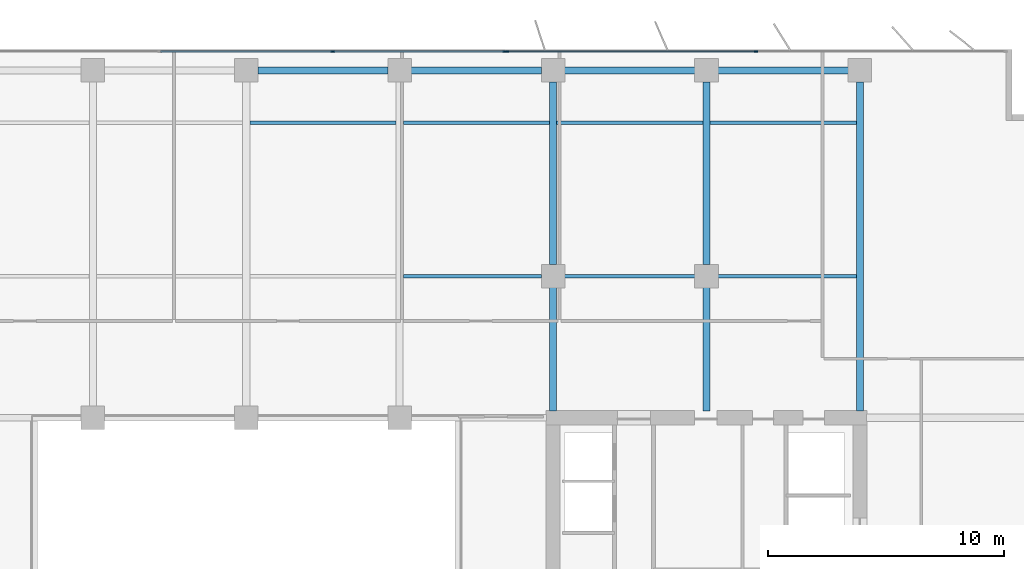
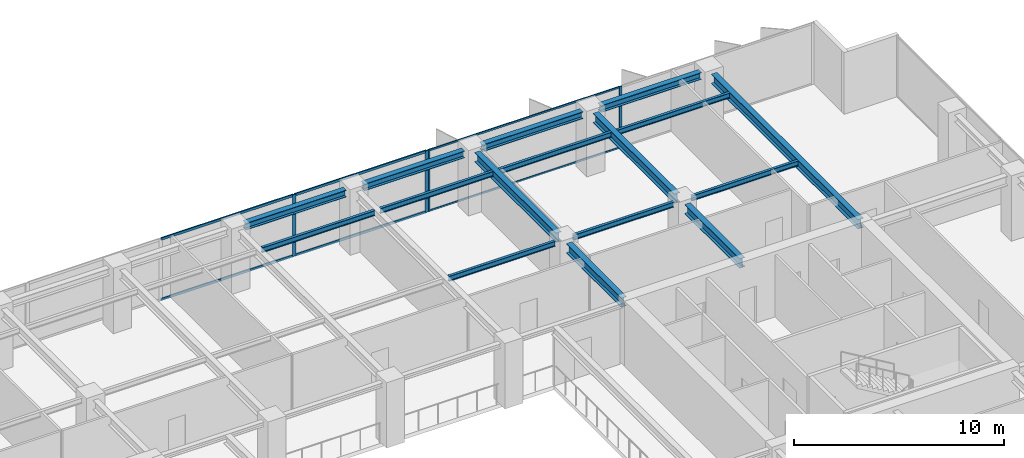
# One storey, part 10 of 22: 16 beams, 10 members, 2 elements without a shape of their own.
"""IFC4 building model written with IfcOpenShell, lengths in metres."""

from ifc_helpers import new_model, si_unit, direction, frame, origin, origin_2d, place, context, subcontext, project, spatial, rectangle, i_section, extrude, material, layer, layer_set, material_profile, profile_set, type_object, element, aggregate, save


model = new_model("IFC4")

# Units and contexts
model_context = context("Model", 3, precision=1e-05, world=origin(), true_north=direction((0.0, 1.0)))
body_context = subcontext(model_context, "Body", "Model", "MODEL_VIEW")
ifc_project = project(units=[si_unit("LENGTHUNIT", "METRE"), si_unit("AREAUNIT", "SQUARE_METRE"), si_unit("VOLUMEUNIT", "CUBIC_METRE"), si_unit("PLANEANGLEUNIT", "RADIAN"), si_unit("MASSUNIT", "GRAM", prefix="KILO")], contexts=[model_context])

# Site, building, storey
site_placement = place(None, origin())
site = spatial("IfcSite", under=ifc_project, at=site_placement, CompositionType="ELEMENT")
building_placement = place(site_placement, origin())
building = spatial("IfcBuilding", under=site, at=building_placement, Name="Putna Gate Headquarters", CompositionType="ELEMENT")
storey_placement = place(building_placement, frame((0.0, 0.0, 159.39990234375)))
storey = spatial("IfcBuildingStorey", under=building, at=storey_placement, Name="L39", CompositionType="ELEMENT", Elevation=159.39990234375)

# Beams
ifc_material_1 = material(Name="Steel S355J2", Category="steel")
ifc_material_profile_1 = material_profile(ifc_material_1, i_section(OverallWidth=0.300048828125, OverallDepth=0.550048828125, WebThickness=0.014892578125, FlangeThickness=0.029052734375, at=origin_2d()), Name="Steel S355J2")
ifc_profile_set_1 = profile_set([ifc_material_profile_1], Name="Steel S355J2")
beam_type_1 = type_object("IfcBeamType", Name="BM-GIRD-Z3-HEB550", PredefinedType="USERDEFINED", material=ifc_profile_set_1)
beam_1_placement = place(storey_placement, frame((52.0, 33.284912109375, 3.297119140625), z_axis=(0.0, 1.0, 0.0), x_axis=(-1.0, 0.0, 0.0)))
element("IfcBeam", 1, at=beam_1_placement, inside=storey, type_object=beam_type_1, Name="L39 North Primary Girder X52-1", ObjectType="GIRDER", PredefinedType="USERDEFINED", context=body_context, shape_type="SweptSolid", body=[
    extrude(i_section(OverallWidth=0.300048828125, OverallDepth=0.550048828125, WebThickness=0.014892578125, FlangeThickness=0.029052734375, at=origin_2d()), origin(), (0.0, 0.0, 1.0), 5.22705078125),
])
beam_2_placement = place(storey_placement, frame((52.0, 39.488037109375, 3.297119140625), z_axis=(0.0, 1.0, 0.0), x_axis=(-1.0, 0.0, 0.0)))
element("IfcBeam", 2, at=beam_2_placement, inside=storey, type_object=beam_type_1, Name="L39 North Primary Girder X52-2", ObjectType="GIRDER", PredefinedType="USERDEFINED", context=body_context, shape_type="SweptSolid", body=[
    extrude(i_section(OverallWidth=0.300048828125, OverallDepth=0.550048828125, WebThickness=0.014892578125, FlangeThickness=0.029052734375, at=origin_2d()), origin(), (0.0, 0.0, 1.0), 7.743896484375),
])
beam_3_placement = place(storey_placement, frame((58.5, 33.284912109375, 3.297119140625), z_axis=(0.0, 1.0, 0.0), x_axis=(-1.0, 0.0, 0.0)))
element("IfcBeam", 3, at=beam_3_placement, inside=storey, type_object=beam_type_1, Name="L39 North Primary Girder X58-1", ObjectType="GIRDER", PredefinedType="USERDEFINED", context=body_context, shape_type="SweptSolid", body=[
    extrude(i_section(OverallWidth=0.300048828125, OverallDepth=0.550048828125, WebThickness=0.014892578125, FlangeThickness=0.029052734375, at=origin_2d()), origin(), (0.0, 0.0, 1.0), 5.22705078125),
])
beam_4_placement = place(storey_placement, frame((58.5, 39.488037109375, 3.297119140625), z_axis=(0.0, 1.0, 0.0), x_axis=(-1.0, 0.0, 0.0)))
element("IfcBeam", 4, at=beam_4_placement, inside=storey, type_object=beam_type_1, Name="L39 North Primary Girder X58-2", ObjectType="GIRDER", PredefinedType="USERDEFINED", context=body_context, shape_type="SweptSolid", body=[
    extrude(i_section(OverallWidth=0.300048828125, OverallDepth=0.550048828125, WebThickness=0.014892578125, FlangeThickness=0.029052734375, at=origin_2d()), origin(), (0.0, 0.0, 1.0), 7.743896484375),
])
beam_5_placement = place(storey_placement, frame((65.0, 33.284912109375, 3.297119140625), z_axis=(0.0, 1.0, 0.0), x_axis=(-1.0, 0.0, 0.0)))
element("IfcBeam", 5, at=beam_5_placement, inside=storey, type_object=beam_type_1, Name="L39 North Primary Girder X65", ObjectType="GIRDER", PredefinedType="USERDEFINED", context=body_context, shape_type="SweptSolid", body=[
    extrude(i_section(OverallWidth=0.300048828125, OverallDepth=0.550048828125, WebThickness=0.014892578125, FlangeThickness=0.029052734375, at=origin_2d()), origin(), (0.0, 0.0, 1.0), 13.947021484375),
])
ifc_material_profile_2 = material_profile(ifc_material_1, i_section(OverallWidth=0.14990234375, OverallDepth=0.300048828125, WebThickness=0.007080078125, FlangeThickness=0.0107421875, at=origin_2d()), Name="Steel S355J2")
ifc_profile_set_2 = profile_set([ifc_material_profile_2], Name="Steel S355J2")
beam_type_2 = type_object("IfcBeamType", Name="BM-SEC-Z3-IPE300", PredefinedType="JOIST", material=ifc_profile_set_2)
beam_6_placement = place(storey_placement, frame((39.154052734375, 45.5, 3.422119140625), z_axis=(1.0, 0.0, 0.0), x_axis=(0.0, 1.0, 0.0)))
element("IfcBeam", 6, at=beam_6_placement, inside=storey, type_object=beam_type_2, Name="L39 North Secondary Beam 5", PredefinedType="JOIST", context=body_context, shape_type="SweptSolid", body=[
    extrude(i_section(OverallWidth=0.14990234375, OverallDepth=0.300048828125, WebThickness=0.007080078125, FlangeThickness=0.0107421875, at=origin_2d()), origin(), (0.0, 0.0, 1.0), 6.19189453125),
])
beam_7_placement = place(storey_placement, frame((45.654052734375, 39.0, 3.422119140625), z_axis=(1.0, 0.0, 0.0), x_axis=(0.0, 1.0, 0.0)))
element("IfcBeam", 7, at=beam_7_placement, inside=storey, type_object=beam_type_2, Name="L39 North Secondary Beam 6", PredefinedType="JOIST", context=body_context, shape_type="SweptSolid", body=[
    extrude(i_section(OverallWidth=0.14990234375, OverallDepth=0.300048828125, WebThickness=0.007080078125, FlangeThickness=0.0107421875, at=origin_2d()), origin(), (0.0, 0.0, 1.0), 5.85791015625),
])
beam_8_placement = place(storey_placement, frame((45.654052734375, 45.5, 3.422119140625), z_axis=(1.0, 0.0, 0.0), x_axis=(0.0, 1.0, 0.0)))
element("IfcBeam", 8, at=beam_8_placement, inside=storey, type_object=beam_type_2, Name="L39 North Secondary Beam 6", PredefinedType="JOIST", context=body_context, shape_type="SweptSolid", body=[
    extrude(i_section(OverallWidth=0.14990234375, OverallDepth=0.300048828125, WebThickness=0.007080078125, FlangeThickness=0.0107421875, at=origin_2d()), origin(), (0.0, 0.0, 1.0), 6.19189453125),
])
beam_9_placement = place(storey_placement, frame((52.488037109375, 39.0, 3.422119140625), z_axis=(1.0, 0.0, 0.0), x_axis=(0.0, 1.0, 0.0)))
element("IfcBeam", 9, at=beam_9_placement, inside=storey, type_object=beam_type_2, Name="L39 North Secondary Beam 7", PredefinedType="JOIST", context=body_context, shape_type="SweptSolid", body=[
    extrude(i_section(OverallWidth=0.14990234375, OverallDepth=0.300048828125, WebThickness=0.007080078125, FlangeThickness=0.0107421875, at=origin_2d()), origin(), (0.0, 0.0, 1.0), 5.52392578125),
])
beam_10_placement = place(storey_placement, frame((52.154052734375, 45.5, 3.422119140625), z_axis=(1.0, 0.0, 0.0), x_axis=(0.0, 1.0, 0.0)))
element("IfcBeam", 10, at=beam_10_placement, inside=storey, type_object=beam_type_2, Name="L39 North Secondary Beam 7", PredefinedType="JOIST", context=body_context, shape_type="SweptSolid", body=[
    extrude(i_section(OverallWidth=0.14990234375, OverallDepth=0.300048828125, WebThickness=0.007080078125, FlangeThickness=0.0107421875, at=origin_2d()), origin(), (0.0, 0.0, 1.0), 6.19189453125),
])
beam_11_placement = place(storey_placement, frame((58.988037109375, 39.0, 3.422119140625), z_axis=(1.0, 0.0, 0.0), x_axis=(0.0, 1.0, 0.0)))
element("IfcBeam", 11, at=beam_11_placement, inside=storey, type_object=beam_type_2, Name="L39 North Secondary Beam 8", PredefinedType="JOIST", context=body_context, shape_type="SweptSolid", body=[
    extrude(i_section(OverallWidth=0.14990234375, OverallDepth=0.300048828125, WebThickness=0.007080078125, FlangeThickness=0.0107421875, at=origin_2d()), origin(), (0.0, 0.0, 1.0), 5.85791015625),
])
beam_12_placement = place(storey_placement, frame((58.654052734375, 45.5, 3.422119140625), z_axis=(1.0, 0.0, 0.0), x_axis=(0.0, 1.0, 0.0)))
element("IfcBeam", 12, at=beam_12_placement, inside=storey, type_object=beam_type_2, Name="L39 North Secondary Beam 8", PredefinedType="JOIST", context=body_context, shape_type="SweptSolid", body=[
    extrude(i_section(OverallWidth=0.14990234375, OverallDepth=0.300048828125, WebThickness=0.007080078125, FlangeThickness=0.0107421875, at=origin_2d()), origin(), (0.0, 0.0, 1.0), 6.19189453125),
])
ifc_material_profile_3 = material_profile(ifc_material_1, i_section(OverallWidth=0.300048828125, OverallDepth=0.39990234375, WebThickness=0.013427734375, FlangeThickness=0.02392578125, at=origin_2d()), Name="Steel S355J2")
ifc_profile_set_3 = profile_set([ifc_material_profile_3], Name="Steel S355J2")
beam_type_3 = type_object("IfcBeamType", Name="BM-SPAN-Z3-HEB400", PredefinedType="SPANDREL", material=ifc_profile_set_3)
for number, where, z_axis, x_axis, name in (
    (13, (39.488037109375, 47.719970703125, 3.3720703125), (1.0, 0.0, 0.0), (0.0, 1.0, 0.0), "L39 N Perimeter Spandrel 5"),
    (14, (45.988037109375, 47.719970703125, 3.3720703125), (1.0, 0.0, 0.0), (0.0, 1.0, 0.0), "L39 N Perimeter Spandrel 6"),
    (15, (52.488037109375, 47.719970703125, 3.3720703125), (1.0, 0.0, 0.0), (0.0, 1.0, 0.0), "L39 N Perimeter Spandrel 7"),
    (16, (58.988037109375, 47.719970703125, 3.3720703125), (1.0, 0.0, 0.0), (0.0, 1.0, 0.0), "L39 N Perimeter Spandrel 8"),
):
    element("IfcBeam", number, at=place(storey_placement, frame(where, z_axis=z_axis, x_axis=x_axis)), inside=storey, type_object=beam_type_3, Name=name, PredefinedType="SPANDREL", context=body_context, shape_type="SweptSolid", body=[
        extrude(i_section(OverallWidth=0.300048828125, OverallDepth=0.39990234375, WebThickness=0.013427734375, FlangeThickness=0.02392578125, at=origin_2d()), origin(), (0.0, 0.0, 1.0), 5.52392578125),
    ])

# Curtain wall, members
ifc_material_2 = material(Name="Anodised bronze aluminium curtain wall", Category="aluminium")
ifc_layer_1 = layer(ifc_material_2, 0.159912109375)
ifc_layer_set_1 = layer_set([ifc_layer_1], Name="Anodised bronze aluminium curtain wall")
curtain_wall_type_1 = type_object("IfcCurtainWallType", Name="CW-SYS-Z3", PredefinedType="USERDEFINED", material=ifc_layer_set_1)
curtain_wall_1_placement = place(storey_placement, origin())
curtain_wall_1 = element("IfcCurtainWall", 17, at=curtain_wall_1_placement, inside=storey, type_object=curtain_wall_type_1, Name="L39 North East Curtain Wall", ObjectType="STICK CURTAIN WALL", PredefinedType="USERDEFINED")
ifc_material_3 = material(Name="Anodised bronze aluminium EN AW-6060", Category="aluminium")
ifc_material_profile_4 = material_profile(ifc_material_3, rectangle(XDim=0.06494140625, YDim=0.159912109375, at=origin_2d()), Name="Anodised bronze aluminium EN AW-6060")
ifc_profile_set_4 = profile_set([ifc_material_profile_4], Name="Anodised bronze aluminium EN AW-6060")
member_type_1 = type_object("IfcMemberType", Name="MULL-CWM-3", PredefinedType="MULLION", material=ifc_profile_set_4)
member_1_placement = place(storey_placement, frame((50.032470703125, 48.52001953125, 0.0), z_axis=(0.0, 0.0, 1.0), x_axis=(0.0, 1.0, 0.0)))
member_1 = element("IfcMember", 18, at=member_1_placement, type_object=member_type_1, Name="CWS-3 mullion 1", PredefinedType="MULLION", context=body_context, shape_type="SweptSolid", body=[
    extrude(rectangle(XDim=0.06494140625, YDim=0.159912109375, at=origin_2d()), origin(), (0.0, 0.0, 1.0), 3.572021484375),
])
member_2_placement = place(storey_placement, frame((60.60009765625, 48.52001953125, 0.0), z_axis=(0.0, 0.0, 1.0), x_axis=(0.0, 1.0, 0.0)))
member_2 = element("IfcMember", 19, at=member_2_placement, type_object=member_type_1, Name="CWS-3 mullion 2", PredefinedType="MULLION", context=body_context, shape_type="SweptSolid", body=[
    extrude(rectangle(XDim=0.06494140625, YDim=0.159912109375, at=origin_2d()), origin(), (0.0, 0.0, 1.0), 3.572021484375),
])

ifc_layer_2 = layer(ifc_material_2, 0.179931640625)
ifc_layer_set_2 = layer_set([ifc_layer_2], Name="Anodised bronze aluminium curtain wall")
curtain_wall_type_2 = type_object("IfcCurtainWallType", Name="CW-SYS-ATR", PredefinedType="USERDEFINED", material=ifc_layer_set_2)
curtain_wall_2_placement = place(storey_placement, origin())
curtain_wall_2 = element("IfcCurtainWall", 20, at=curtain_wall_2_placement, inside=storey, type_object=curtain_wall_type_2, Name="L39 North Atrium Clear Glazing", ObjectType="ATRIUM GLAZING", PredefinedType="USERDEFINED")
ifc_material_profile_5 = material_profile(ifc_material_3, rectangle(XDim=0.070068359375, YDim=0.179931640625, at=origin_2d()), Name="Anodised bronze aluminium EN AW-6060")
ifc_profile_set_5 = profile_set([ifc_material_profile_5], Name="Anodised bronze aluminium EN AW-6060")
member_type_2 = type_object("IfcMemberType", Name="MULL-CWM-AT", PredefinedType="MULLION", material=ifc_profile_set_5)
member_3_placement = place(storey_placement, frame((42.666748046875, 48.52001953125, 0.0), z_axis=(0.0, 0.0, 1.0), x_axis=(0.0, 1.0, 0.0)))
member_3 = element("IfcMember", 21, at=member_3_placement, type_object=member_type_2, Name="CWS-AT mullion 3", PredefinedType="MULLION", context=body_context, shape_type="SweptSolid", body=[
    extrude(rectangle(XDim=0.070068359375, YDim=0.179931640625, at=origin_2d()), origin(), (0.0, 0.0, 1.0), 3.572021484375),
])
member_4_placement = place(storey_placement, frame((49.965087890625, 48.52001953125, 0.0), z_axis=(0.0, 0.0, 1.0), x_axis=(0.0, 1.0, 0.0)))
member_4 = element("IfcMember", 22, at=member_4_placement, type_object=member_type_2, Name="CWS-AT mullion 4", PredefinedType="MULLION", context=body_context, shape_type="SweptSolid", body=[
    extrude(rectangle(XDim=0.070068359375, YDim=0.179931640625, at=origin_2d()), origin(), (0.0, 0.0, 1.0), 3.572021484375),
])

# Member
ifc_material_profile_6 = material_profile(ifc_material_3, rectangle(XDim=0.06005859375, YDim=0.10009765625, at=origin_2d()), Name="Anodised bronze aluminium EN AW-6060")
ifc_profile_set_6 = profile_set([ifc_material_profile_6], Name="Anodised bronze aluminium EN AW-6060")
member_type_3 = type_object("IfcMemberType", Name="TRAN-CWT-3", PredefinedType="USERDEFINED", material=ifc_profile_set_6)
member_5_placement = place(storey_placement, frame((50.06494140625, 48.52001953125, 0.030029296875), z_axis=(1.0, 0.0, 0.0), x_axis=(0.0, 1.0, 0.0)))
member_5 = element("IfcMember", 23, at=member_5_placement, type_object=member_type_3, Name="CWS-3 transom 1.1", ObjectType="TRANSOM", PredefinedType="USERDEFINED", context=body_context, shape_type="SweptSolid", body=[
    extrude(rectangle(XDim=0.06005859375, YDim=0.10009765625, at=origin_2d()), origin(), (0.0, 0.0, 1.0), 10.50244140625),
])

member_6_placement = place(storey_placement, frame((50.06494140625, 48.52001953125, 3.5419921875), z_axis=(1.0, 0.0, 0.0), x_axis=(0.0, 1.0, 0.0)))
member_6 = element("IfcMember", 24, at=member_6_placement, type_object=member_type_3, Name="CWS-3 transom 1.2", ObjectType="TRANSOM", PredefinedType="USERDEFINED", context=body_context, shape_type="SweptSolid", body=[
    extrude(rectangle(XDim=0.06005859375, YDim=0.10009765625, at=origin_2d()), origin(), (0.0, 0.0, 1.0), 10.50244140625),
])

aggregate(curtain_wall_1, [member_1, member_2, member_5, member_6])

ifc_material_profile_7 = material_profile(ifc_material_3, rectangle(XDim=0.070068359375, YDim=0.139892578125, at=origin_2d()), Name="Anodised bronze aluminium EN AW-6060")
ifc_profile_set_7 = profile_set([ifc_material_profile_7], Name="Anodised bronze aluminium EN AW-6060")
member_type_4 = type_object("IfcMemberType", Name="TRAN-CWT-AT", PredefinedType="USERDEFINED", material=ifc_profile_set_7)
member_7_placement = place(storey_placement, frame((35.368408203125, 48.52001953125, 0.03515625), z_axis=(1.0, 0.0, 0.0), x_axis=(0.0, 1.0, 0.0)))
member_7 = element("IfcMember", 25, at=member_7_placement, type_object=member_type_4, Name="CWS-AT transom 2.1", ObjectType="TRANSOM", PredefinedType="USERDEFINED", context=body_context, shape_type="SweptSolid", body=[
    extrude(rectangle(XDim=0.070068359375, YDim=0.139892578125, at=origin_2d()), origin(), (0.0, 0.0, 1.0), 7.26318359375),
])

member_8_placement = place(storey_placement, frame((35.368408203125, 48.52001953125, 3.537109375), z_axis=(1.0, 0.0, 0.0), x_axis=(0.0, 1.0, 0.0)))
member_8 = element("IfcMember", 26, at=member_8_placement, type_object=member_type_4, Name="CWS-AT transom 2.2", ObjectType="TRANSOM", PredefinedType="USERDEFINED", context=body_context, shape_type="SweptSolid", body=[
    extrude(rectangle(XDim=0.070068359375, YDim=0.139892578125, at=origin_2d()), origin(), (0.0, 0.0, 1.0), 7.26318359375),
])

member_9_placement = place(storey_placement, frame((42.70166015625, 48.52001953125, 0.03515625), z_axis=(1.0, 0.0, 0.0), x_axis=(0.0, 1.0, 0.0)))
member_9 = element("IfcMember", 27, at=member_9_placement, type_object=member_type_4, Name="CWS-AT transom 3.1", ObjectType="TRANSOM", PredefinedType="USERDEFINED", context=body_context, shape_type="SweptSolid", body=[
    extrude(rectangle(XDim=0.070068359375, YDim=0.139892578125, at=origin_2d()), origin(), (0.0, 0.0, 1.0), 7.228271484375),
])

member_10_placement = place(storey_placement, frame((42.70166015625, 48.52001953125, 3.537109375), z_axis=(1.0, 0.0, 0.0), x_axis=(0.0, 1.0, 0.0)))
member_10 = element("IfcMember", 28, at=member_10_placement, type_object=member_type_4, Name="CWS-AT transom 3.2", ObjectType="TRANSOM", PredefinedType="USERDEFINED", context=body_context, shape_type="SweptSolid", body=[
    extrude(rectangle(XDim=0.070068359375, YDim=0.139892578125, at=origin_2d()), origin(), (0.0, 0.0, 1.0), 7.228271484375),
])

aggregate(curtain_wall_2, [member_3, member_4, member_7, member_8, member_9, member_10])

save(model, "model.ifc")
